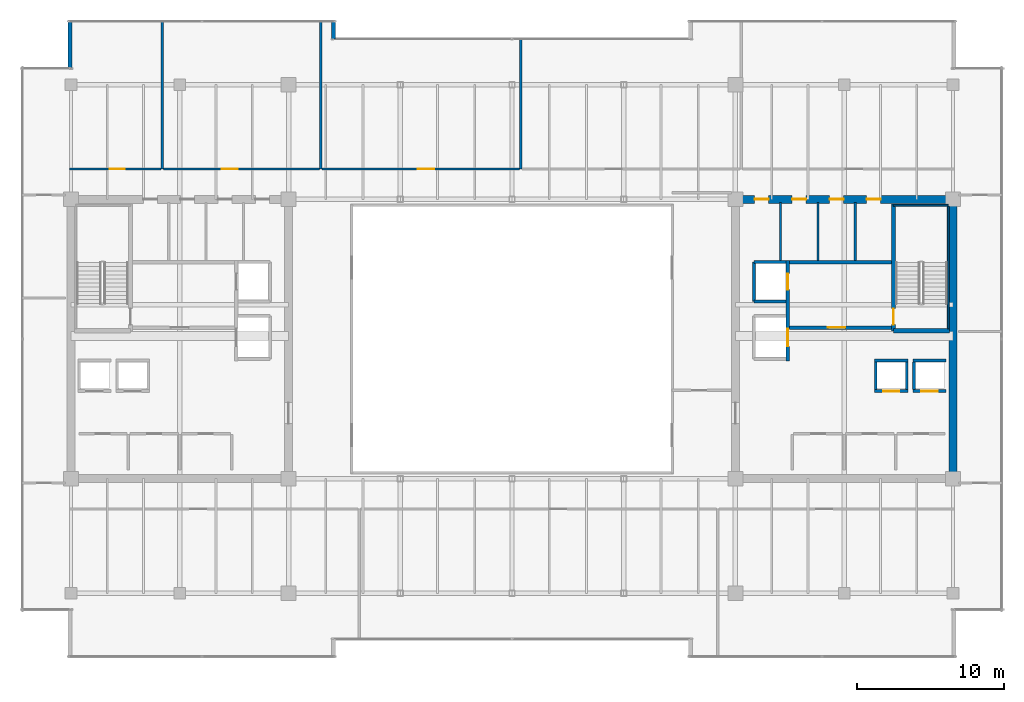
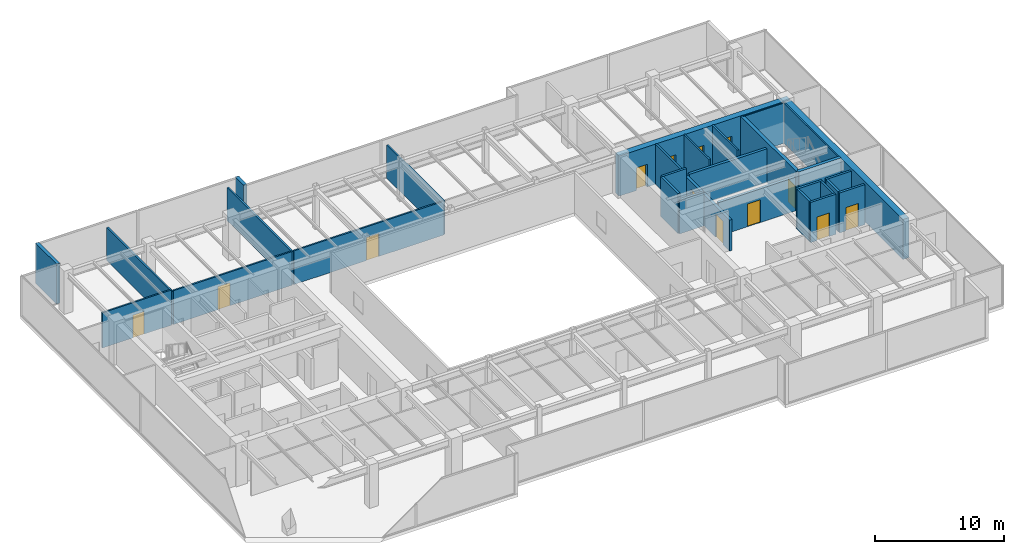
# One storey, part 30 of 33: 30 walls, 13 doors, 13 openings.
"""IFC4 building model written with IfcOpenShell, lengths in metres."""

from ifc_helpers import new_model, si_unit, direction, frame, frame_2d, origin, place, context, subcontext, project, spatial, rectangle, extrude, source, transform, mapped, material, layer, layer_set, type_object, type_shapes, element, fill, save


model = new_model("IFC4")

# Units and contexts
model_context = context("Model", 3, precision=1e-05, world=origin(), true_north=direction((0.0, 1.0)))
body_context = subcontext(model_context, "Body", "Model", "MODEL_VIEW")
ifc_project = project(units=[si_unit("LENGTHUNIT", "METRE"), si_unit("AREAUNIT", "SQUARE_METRE"), si_unit("VOLUMEUNIT", "CUBIC_METRE"), si_unit("PLANEANGLEUNIT", "RADIAN"), si_unit("MASSUNIT", "GRAM", prefix="KILO")], contexts=[model_context])

# Site, building, storey
site_placement = place(None, origin())
site = spatial("IfcSite", under=ifc_project, at=site_placement, CompositionType="ELEMENT")
building_placement = place(site_placement, origin())
building = spatial("IfcBuilding", under=site, at=building_placement, Name="Haelvirn Gate Laboratories", CompositionType="ELEMENT")
storey_placement = place(building_placement, frame((0.0, 0.0, 275.199951171875)))
storey = spatial("IfcBuildingStorey", under=building, at=storey_placement, Name="L66", CompositionType="ELEMENT", Elevation=275.199951171875)

# Walls
ifc_material_1 = material(Name="Thermally-broken bronze aluminium rainscreen & mineral wool", Category="aluminium")
ifc_layer_1 = layer(ifc_material_1, 0.280029296875, Name="EW-TERR-280")
ifc_layer_set_1 = layer_set([ifc_layer_1], Name="Thermally-broken bronze aluminium rainscreen & mineral wool")
wall_type_1 = type_object("IfcWallType", Name="EW-TERR-280", PredefinedType="STANDARD", material=ifc_layer_set_1)
wall_1_placement = place(storey_placement, frame((25.260009765625, 44.70703125, 0.0), z_axis=(0.0, 0.0, 1.0), x_axis=(0.0, 1.0, 0.0)))
element("IfcWall", 1, at=wall_1_placement, inside=storey, type_object=wall_type_1, Name="L66 Atrium Recess Bronze Return Wall 13", PredefinedType="STANDARD", context=body_context, shape_type="SweptSolid", body=[
    extrude(rectangle(XDim=1.29296875, YDim=0.280029296875, at=frame_2d((0.646484375, 0.0))), origin(), (0.0, 0.0, 1.0), 3.800048828125),
])
wall_2_placement = place(storey_placement, frame((7.340087890625, 46.0, 0.0), z_axis=(0.0, 0.0, 1.0), x_axis=(0.0, -1.0, 0.0)))
element("IfcWall", 2, at=wall_2_placement, inside=storey, type_object=wall_type_1, Name="L66 Atrium Recess Bronze Return Wall 15", PredefinedType="STANDARD", context=body_context, shape_type="SweptSolid", body=[
    extrude(rectangle(XDim=3.2880859375, YDim=0.280029296875, at=frame_2d((1.64404296875, 0.0))), origin(), (0.0, 0.0, 1.0), 3.800048828125),
])
ifc_material_2 = material(Name="Double-layer acoustic gypsum laboratory partition", Category="gypsum")
ifc_layer_2 = layer(ifc_material_2, 0.159912109375, Name="IW-ACOUST-160")
ifc_layer_set_2 = layer_set([ifc_layer_2], Name="Double-layer acoustic gypsum laboratory partition")
wall_type_2 = type_object("IfcWallType", Name="IW-ACOUST-160", PredefinedType="PARTITIONING", material=ifc_layer_set_2)
for number, where, z_axis, x_axis, name in (
    (3, (13.60009765625, 35.860107421875, 0.0), (0.0, 0.0, 1.0), (0.0, 1.0, 0.0), "L66 Interior Wall IW-L66-NDIV-01"),
    (4, (24.39990234375, 35.860107421875, 0.0), (0.0, 0.0, 1.0), (0.0, 1.0, 0.0), "L66 Interior Wall IW-L66-NDIV-02"),
):
    element("IfcWall", number, at=place(storey_placement, frame(where, z_axis=z_axis, x_axis=x_axis)), inside=storey, type_object=wall_type_2, Name=name, PredefinedType="PARTITIONING", context=body_context, shape_type="SweptSolid", body=[
        extrude(rectangle(XDim=10.02978515625, YDim=0.159912109375, at=frame_2d((5.014892578125, 0.0))), origin(), (0.0, 0.0, 1.0), 3.135009765625),
    ])
wall_3_placement = place(storey_placement, frame((38.0, 35.860107421875, 0.0), z_axis=(0.0, 0.0, 1.0), x_axis=(0.0, 1.0, 0.0)))
element("IfcWall", 5, at=wall_3_placement, inside=storey, type_object=wall_type_2, Name="L66 Interior Wall IW-L66-NDIV-03", PredefinedType="PARTITIONING", context=body_context, shape_type="SweptSolid", body=[
    extrude(rectangle(XDim=8.829833984375, YDim=0.159912109375, at=frame_2d((4.4150390625, 0.0))), origin(), (0.0, 0.0, 1.0), 3.135009765625),
])

# Wall, opening, door
ifc_material_3 = material(Name="Acoustic mineral-wool gypsum board partition", Category="gypsum")
ifc_layer_3 = layer(ifc_material_3, 0.139892578125, Name="IW-PART-140")
ifc_layer_set_3 = layer_set([ifc_layer_3], Name="Acoustic mineral-wool gypsum board partition")
wall_type_3 = type_object("IfcWallType", Name="IW-PART-140", PredefinedType="PARTITIONING", material=ifc_layer_set_3)
wall_4_placement = place(storey_placement, frame((7.31005859375, 35.860107421875, 0.0), z_axis=(0.0, 0.0, 1.0), x_axis=(1.0, 0.0, 0.0)))
wall_4 = element("IfcWall", 6, at=wall_4_placement, inside=storey, type_object=wall_type_3, Name="L66 Interior Wall IW-L66-NCORR-01", PredefinedType="PARTITIONING", context=body_context, shape_type="SweptSolid", body=[
    extrude(rectangle(XDim=6.2099609375, YDim=0.139892578125, at=frame_2d((3.10498046875, 0.0))), origin(), (0.0, 0.0, 1.0), 3.3349609375),
])
opening_1_placement = place(wall_4_placement, frame((2.740234375, 0.0, 0.0)))
opening_1 = element("IfcOpeningElement", 7, at=opening_1_placement, cuts=wall_4, Name="Opening D2", PredefinedType="OPENING", context=body_context, shape_type="SweptSolid", body=[
    extrude(rectangle(XDim=1.0, YDim=2.14990234375, at=frame_2d((0.5, 1.074951171875))), frame((0.0, 0.080078125, 0.0), z_axis=(0.0, -1.0, 0.0), x_axis=(1.0, 0.0, 0.0)), (0.0, 0.0, 1.0), 0.159912109375),
])
ifc_material_4 = material(Name="Acoustic solid-core timber suite door", Category="wood")
door_type_1 = type_object("IfcDoorType", Name="DR-INT-1000", OperationType="NOTDEFINED", PredefinedType="DOOR", material=ifc_material_4)
shared_shape_1 = source(origin(), body_context, "Body", "SweptSolid", [
    extrude(rectangle(XDim=1.0, YDim=2.14990234375, at=frame_2d((0.5, 1.074951171875))), frame((0.0, 0.02490234375, 0.0), z_axis=(0.0, -1.0, 0.0), x_axis=(1.0, 0.0, 0.0)), (0.0, 0.0, 1.0), 0.050048828125),
])
type_shapes(door_type_1, [shared_shape_1])
door_1_placement = place(opening_1_placement, origin())
door_1 = element("IfcDoor", 8, at=door_1_placement, inside=storey, type_object=door_type_1, Name="L66 Bioinformatics Dry-Lab Workspace Door N1", OperationType="SINGLE_SWING_RIGHT", OverallHeight=2.14990234375, OverallWidth=1.0, PredefinedType="DOOR", context=body_context, shape_type="MappedRepresentation", body=[
    mapped(shared_shape_1, transform((0.0, 0.0, 0.0), scale=1.0)),
])
fill(opening_1, door_1)

wall_5_placement = place(storey_placement, frame((13.679931640625, 35.860107421875, 0.0), z_axis=(0.0, 0.0, 1.0), x_axis=(1.0, 0.0, 0.0)))
wall_5 = element("IfcWall", 9, at=wall_5_placement, inside=storey, type_object=wall_type_3, Name="L66 Interior Wall IW-L66-NCORR-02", PredefinedType="PARTITIONING", context=body_context, shape_type="SweptSolid", body=[
    extrude(rectangle(XDim=10.64013671875, YDim=0.139892578125, at=frame_2d((5.320068359375, 0.0))), origin(), (0.0, 0.0, 1.0), 3.197021484375),
])
opening_2_placement = place(wall_5_placement, frame((3.974365234375, 0.0, 0.0)))
opening_2 = element("IfcOpeningElement", 10, at=opening_2_placement, cuts=wall_5, Name="Opening D1", PredefinedType="OPENING", context=body_context, shape_type="SweptSolid", body=[
    extrude(rectangle(XDim=1.10009765625, YDim=2.179931640625, at=frame_2d((0.550048828125, 1.08984375))), frame((0.0, 0.080078125, 0.0), z_axis=(0.0, -1.0, 0.0), x_axis=(1.0, 0.0, 0.0)), (0.0, 0.0, 1.0), 0.159912109375),
])
ifc_material_5 = material(Name="Vision-panel acoustic solid-core timber lab door", Category="wood")
door_type_2 = type_object("IfcDoorType", Name="DR-LAB-1100", OperationType="NOTDEFINED", PredefinedType="DOOR", material=ifc_material_5)
shared_shape_2 = source(origin(), body_context, "Body", "SweptSolid", [
    extrude(rectangle(XDim=1.10009765625, YDim=2.179931640625, at=frame_2d((0.550048828125, 1.08984375))), frame((0.0, 0.02490234375, 0.0), z_axis=(0.0, -1.0, 0.0), x_axis=(1.0, 0.0, 0.0)), (0.0, 0.0, 1.0), 0.050048828125),
])
type_shapes(door_type_2, [shared_shape_2])
door_2_placement = place(opening_2_placement, origin())
door_2 = element("IfcDoor", 11, at=door_2_placement, inside=storey, type_object=door_type_2, Name="L66 Scientific Reference Library Door N2", OperationType="SINGLE_SWING_LEFT", OverallHeight=2.179931640625, OverallWidth=1.10009765625, PredefinedType="DOOR", context=body_context, shape_type="MappedRepresentation", body=[
    mapped(shared_shape_2, transform((0.0, 0.0, 0.0), scale=1.0)),
])
fill(opening_2, door_2)

wall_6_placement = place(storey_placement, frame((24.47998046875, 35.860107421875, 0.0), z_axis=(0.0, 0.0, 1.0), x_axis=(1.0, 0.0, 0.0)))
wall_6 = element("IfcWall", 12, at=wall_6_placement, inside=storey, type_object=wall_type_3, Name="L66 Interior Wall IW-L66-NCORR-03", PredefinedType="PARTITIONING", context=body_context, shape_type="SweptSolid", body=[
    extrude(rectangle(XDim=13.43994140625, YDim=0.139892578125, at=frame_2d((6.719970703125, 0.0))), origin(), (0.0, 0.0, 1.0), 3.197021484375),
])
opening_3_placement = place(wall_6_placement, frame((6.519287109375, 0.0, 0.0)))
opening_3 = element("IfcOpeningElement", 13, at=opening_3_placement, cuts=wall_6, Name="Opening D1", PredefinedType="OPENING", context=body_context, shape_type="SweptSolid", body=[
    extrude(rectangle(XDim=1.10009765625, YDim=2.179931640625, at=frame_2d((0.550048828125, 1.08984375))), frame((0.0, 0.080078125, 0.0), z_axis=(0.0, -1.0, 0.0), x_axis=(1.0, 0.0, 0.0)), (0.0, 0.0, 1.0), 0.159912109375),
])
door_3_placement = place(opening_3_placement, origin())
door_3 = element("IfcDoor", 14, at=door_3_placement, inside=storey, type_object=door_type_2, Name="L66 Instrumentation Prototyping Workshop Door N3", OperationType="SINGLE_SWING_RIGHT", OverallHeight=2.179931640625, OverallWidth=1.10009765625, PredefinedType="DOOR", context=body_context, shape_type="MappedRepresentation", body=[
    mapped(shared_shape_2, transform((0.0, 0.0, 0.0), scale=1.0)),
])
fill(opening_3, door_3)

# Walls
ifc_material_6 = material(Name="Cement-board restroom plumbing chase wall", Category="gypsum")
ifc_layer_4 = layer(ifc_material_6, 0.155029296875, Name="IW-PLUMB-160")
ifc_layer_set_4 = layer_set([ifc_layer_4], Name="Cement-board restroom plumbing chase wall")
wall_type_4 = type_object("IfcWallType", Name="IW-PLUMB-160", PredefinedType="PLUMBINGWALL", material=ifc_layer_set_4)
for number, where, z_axis, x_axis, name in (
    (15, (60.760009765625, 29.64990234375, 0.0), (0.0, 0.0, 1.0), (0.0, 1.0, 0.0), "L66 Interior Wall IW-L66-E-CDIV-1"),
    (16, (58.2099609375, 29.64990234375, 0.0), (0.0, 0.0, 1.0), (0.0, 1.0, 0.0), "L66 Interior Wall IW-L66-E-CDIV-2"),
    (17, (55.659912109375, 29.64990234375, 0.0), (0.0, 0.0, 1.0), (0.0, 1.0, 0.0), "L66 Interior Wall IW-L66-E-CDIV-3"),
):
    element("IfcWall", number, at=place(storey_placement, frame(where, z_axis=z_axis, x_axis=x_axis)), inside=storey, type_object=wall_type_4, Name=name, PredefinedType="PLUMBINGWALL", context=body_context, shape_type="SweptSolid", body=[
        extrude(rectangle(XDim=3.93017578125, YDim=0.155029296875, at=frame_2d((1.965087890625, 0.0))), origin(), (0.0, 0.0, 1.0), 3.800048828125),
    ])
ifc_material_7 = material(Name="Concrete C40/50", Category="concrete")
ifc_layer_5 = layer(ifc_material_7, 0.179931640625, Name="IW-SHAFT-180")
ifc_layer_set_5 = layer_set([ifc_layer_5], Name="Concrete C40/50")
wall_type_5 = type_object("IfcWallType", Name="IW-SHAFT-180", PredefinedType="SOLIDWALL", material=ifc_layer_set_5)
for number, where, z_axis, x_axis, name in (
    (18, (64.75, 20.85009765625, 0.0), (0.0, 0.0, 1.0), (0.0, 1.0, 0.0), "L66 Interior Wall IW-L66-PL11-SD"),
    (19, (62.14990234375, 20.85009765625, 0.0), (0.0, 0.0, 1.0), (0.0, 1.0, 0.0), "L66 Interior Wall IW-L66-PL12-SD"),
    (20, (64.25, 20.85009765625, 0.0), (0.0, 0.0, 1.0), (0.0, 1.0, 0.0), "L66 Interior Wall IW-L66-PL12-SDE"),
):
    element("IfcWall", number, at=place(storey_placement, frame(where, z_axis=z_axis, x_axis=x_axis)), inside=storey, type_object=wall_type_5, Name=name, PredefinedType="SOLIDWALL", context=body_context, shape_type="SweptSolid", body=[
        extrude(rectangle(XDim=1.89990234375, YDim=0.179931640625, at=frame_2d((0.949951171875, 0.0))), origin(), (0.0, 0.0, 1.0), 3.800048828125),
    ])

# Wall, opening, door
ifc_layer_6 = layer(ifc_material_7, 0.199951171875, Name="IW-SHAFT-200")
ifc_layer_set_6 = layer_set([ifc_layer_6], Name="Concrete C40/50")
wall_type_6 = type_object("IfcWallType", Name="IW-SHAFT-200", PredefinedType="SOLIDWALL", material=ifc_layer_set_6)
wall_7_placement = place(storey_placement, frame((64.669921875, 20.75, 0.0), z_axis=(0.0, 0.0, 1.0), x_axis=(1.0, 0.0, 0.0)))
wall_7 = element("IfcWall", 21, at=wall_7_placement, inside=storey, type_object=wall_type_6, Name="L66 Interior Wall IW-L66-PL11-FR", PredefinedType="SOLIDWALL", context=body_context, shape_type="SweptSolid", body=[
    extrude(rectangle(XDim=2.260009765625, YDim=0.199951171875, at=frame_2d((1.1298828125, 0.0))), origin(), (0.0, 0.0, 1.0), 3.800048828125),
])
opening_4_placement = place(wall_7_placement, frame((0.580078125, 0.0, 0.0)))
opening_4 = element("IfcOpeningElement", 22, at=opening_4_placement, cuts=wall_7, Name="Opening LD2", PredefinedType="OPENING", context=body_context, shape_type="SweptSolid", body=[
    extrude(rectangle(XDim=1.10009765625, YDim=2.219970703125, at=frame_2d((0.550048828125, 1.10986328125))), frame((0.0, 0.10986328125, 0.0), z_axis=(0.0, -1.0, 0.0), x_axis=(1.0, 0.0, 0.0)), (0.0, 0.0, 1.0), 0.219970703125),
])
ifc_material_8 = material(Name="Bronze stainless 316L sliding lift landing door")
door_type_3 = type_object("IfcDoorType", Name="DR-LD-1100", OperationType="NOTDEFINED", PredefinedType="USERDEFINED", material=ifc_material_8)
shared_shape_3 = source(origin(), body_context, "Body", "SweptSolid", [
    extrude(rectangle(XDim=1.10009765625, YDim=2.219970703125, at=frame_2d((0.550048828125, 1.10986328125))), frame((0.0, 0.02490234375, 0.0), z_axis=(0.0, -1.0, 0.0), x_axis=(1.0, 0.0, 0.0)), (0.0, 0.0, 1.0), 0.050048828125),
])
type_shapes(door_type_3, [shared_shape_3])
door_4_placement = place(opening_4_placement, origin())
door_4 = element("IfcDoor", 23, at=door_4_placement, inside=storey, type_object=door_type_3, Name="L66 Passenger Lift PL11 Landing Door", ObjectType="LANDING_DOOR", OperationType="SLIDING_TO_LEFT", OverallHeight=2.219970703125, OverallWidth=1.10009765625, PredefinedType="USERDEFINED", context=body_context, shape_type="MappedRepresentation", body=[
    mapped(shared_shape_3, transform((0.0, 0.0, 0.0), scale=1.0)),
])
fill(opening_4, door_4)

# Wall
wall_8_placement = place(storey_placement, frame((64.669921875, 22.85009765625, 0.0), z_axis=(0.0, 0.0, 1.0), x_axis=(1.0, 0.0, 0.0)))
element("IfcWall", 24, at=wall_8_placement, inside=storey, type_object=wall_type_6, Name="L66 Interior Wall IW-L66-PL11-BK", PredefinedType="SOLIDWALL", context=body_context, shape_type="SweptSolid", body=[
    extrude(rectangle(XDim=2.260009765625, YDim=0.199951171875, at=frame_2d((1.1298828125, 0.0))), origin(), (0.0, 0.0, 1.0), 3.800048828125),
])

# Wall, opening, door
wall_9_placement = place(storey_placement, frame((62.070068359375, 20.75, 0.0), z_axis=(0.0, 0.0, 1.0), x_axis=(1.0, 0.0, 0.0)))
wall_9 = element("IfcWall", 25, at=wall_9_placement, inside=storey, type_object=wall_type_6, Name="L66 Interior Wall IW-L66-PL12-FR", PredefinedType="SOLIDWALL", context=body_context, shape_type="SweptSolid", body=[
    extrude(rectangle(XDim=2.260009765625, YDim=0.199951171875, at=frame_2d((1.1298828125, 0.0))), origin(), (0.0, 0.0, 1.0), 3.800048828125),
])
opening_5_placement = place(wall_9_placement, frame((0.580078125, 0.0, 0.0)))
opening_5 = element("IfcOpeningElement", 26, at=opening_5_placement, cuts=wall_9, Name="Opening LD2", PredefinedType="OPENING", context=body_context, shape_type="SweptSolid", body=[
    extrude(rectangle(XDim=1.10009765625, YDim=2.219970703125, at=frame_2d((0.550048828125, 1.10986328125))), frame((0.0, 0.10986328125, 0.0), z_axis=(0.0, -1.0, 0.0), x_axis=(1.0, 0.0, 0.0)), (0.0, 0.0, 1.0), 0.219970703125),
])
door_5_placement = place(opening_5_placement, origin())
door_5 = element("IfcDoor", 27, at=door_5_placement, inside=storey, type_object=door_type_3, Name="L66 Passenger Lift PL12 Landing Door", ObjectType="LANDING_DOOR", OperationType="SLIDING_TO_RIGHT", OverallHeight=2.219970703125, OverallWidth=1.10009765625, PredefinedType="USERDEFINED", context=body_context, shape_type="MappedRepresentation", body=[
    mapped(shared_shape_3, transform((0.0, 0.0, 0.0), scale=1.0)),
])
fill(opening_5, door_5)

# Walls
wall_10_placement = place(storey_placement, frame((62.070068359375, 22.85009765625, 0.0), z_axis=(0.0, 0.0, 1.0), x_axis=(1.0, 0.0, 0.0)))
element("IfcWall", 28, at=wall_10_placement, inside=storey, type_object=wall_type_6, Name="L66 Interior Wall IW-L66-PL12-BK", PredefinedType="SOLIDWALL", context=body_context, shape_type="SweptSolid", body=[
    extrude(rectangle(XDim=2.260009765625, YDim=0.199951171875, at=frame_2d((1.1298828125, 0.0))), origin(), (0.0, 0.0, 1.0), 3.800048828125),
])
wall_11_placement = place(storey_placement, frame((53.85009765625, 26.85009765625, 0.0), z_axis=(0.0, 0.0, 1.0), x_axis=(0.0, 1.0, 0.0)))
element("IfcWall", 29, at=wall_11_placement, inside=storey, type_object=wall_type_6, Name="L66 Interior Wall IW-L66-FL2-BK", PredefinedType="SOLIDWALL", context=body_context, shape_type="SweptSolid", body=[
    extrude(rectangle(XDim=2.699951171875, YDim=0.199951171875, at=frame_2d((1.35009765625, 0.0))), origin(), (0.0, 0.0, 1.0), 3.800048828125),
])
wall_12_placement = place(storey_placement, frame((53.85009765625, 29.550048828125, 0.0), z_axis=(0.0, 0.0, 1.0), x_axis=(1.0, 0.0, 0.0)))
element("IfcWall", 30, at=wall_12_placement, inside=storey, type_object=wall_type_6, Name="L66 Interior Wall IW-L66-FL2-N", PredefinedType="SOLIDWALL", context=body_context, shape_type="SweptSolid", body=[
    extrude(rectangle(XDim=2.18994140625, YDim=0.199951171875, at=frame_2d((1.094970703125, 0.0))), origin(), (0.0, 0.0, 1.0), 3.800048828125),
])
wall_13_placement = place(storey_placement, frame((53.85009765625, 26.85009765625, 0.0), z_axis=(0.0, 0.0, 1.0), x_axis=(1.0, 0.0, 0.0)))
element("IfcWall", 31, at=wall_13_placement, inside=storey, type_object=wall_type_6, Name="L66 Interior Wall IW-L66-FL2-S", PredefinedType="SOLIDWALL", context=body_context, shape_type="SweptSolid", body=[
    extrude(rectangle(XDim=2.18994140625, YDim=0.199951171875, at=frame_2d((1.094970703125, 0.0))), origin(), (0.0, 0.0, 1.0), 3.197021484375),
])

# Wall, opening, door
ifc_layer_7 = layer(ifc_material_7, 0.239990234375, Name="IW-SHAFT-240")
ifc_layer_set_7 = layer_set([ifc_layer_7], Name="Concrete C40/50")
wall_type_7 = type_object("IfcWallType", Name="IW-SHAFT-240", PredefinedType="SOLIDWALL", material=ifc_layer_set_7)
wall_14_placement = place(storey_placement, frame((56.280029296875, 25.080078125, 0.0), z_axis=(0.0, 0.0, 1.0), x_axis=(1.0, 0.0, 0.0)))
wall_14 = element("IfcWall", 32, at=wall_14_placement, inside=storey, type_object=wall_type_7, Name="L66 Interior Wall IW-L66-E-FF-S", PredefinedType="SOLIDWALL", context=body_context, shape_type="SweptSolid", body=[
    extrude(rectangle(XDim=6.919921875, YDim=0.239990234375, at=frame_2d((3.4599609375, 0.0))), origin(), (0.0, 0.0, 1.0), 3.197021484375),
])
opening_6_placement = place(wall_14_placement, frame((2.60009765625, 0.0, 0.0)))
opening_6 = element("IfcOpeningElement", 33, at=opening_6_placement, cuts=wall_14, Name="Opening FD2", PredefinedType="OPENING", context=body_context, shape_type="SweptSolid", body=[
    extrude(rectangle(XDim=1.199951171875, YDim=2.159912109375, at=frame_2d((0.60009765625, 1.080078125))), frame((0.0, 0.1298828125, 0.0), z_axis=(0.0, -1.0, 0.0), x_axis=(1.0, 0.0, 0.0)), (0.0, 0.0, 1.0), 0.260009765625),
])
ifc_material_9 = material(Name="Fire-rated steel SM355 compartment door", Category="steel")
door_type_4 = type_object("IfcDoorType", Name="DR-FD-1200", OperationType="NOTDEFINED", PredefinedType="DOOR", material=ifc_material_9)
shared_shape_4 = source(origin(), body_context, "Body", "SweptSolid", [
    extrude(rectangle(XDim=1.199951171875, YDim=2.159912109375, at=frame_2d((0.60009765625, 1.080078125))), frame((0.0, 0.02490234375, 0.0), z_axis=(0.0, -1.0, 0.0), x_axis=(1.0, 0.0, 0.0)), (0.0, 0.0, 1.0), 0.050048828125),
])
type_shapes(door_type_4, [shared_shape_4])
door_6_placement = place(opening_6_placement, origin())
door_6 = element("IfcDoor", 34, at=door_6_placement, inside=storey, type_object=door_type_4, Name="L66 East Firefighting Lobby Door", OperationType="SINGLE_SWING_LEFT", OverallHeight=2.159912109375, OverallWidth=1.199951171875, PredefinedType="DOOR", context=body_context, shape_type="MappedRepresentation", body=[
    mapped(shared_shape_4, transform((0.0, 0.0, 0.0), scale=1.0)),
])
fill(opening_6, door_6)

# Wall
wall_15_placement = place(storey_placement, frame((56.280029296875, 29.52001953125, 0.0), z_axis=(0.0, 0.0, 1.0), x_axis=(1.0, 0.0, 0.0)))
element("IfcWall", 35, at=wall_15_placement, inside=storey, type_object=wall_type_7, Name="L66 Interior Wall IW-L66-E-FF-N", PredefinedType="SOLIDWALL", context=body_context, shape_type="SweptSolid", body=[
    extrude(rectangle(XDim=6.919921875, YDim=0.239990234375, at=frame_2d((3.4599609375, 0.0))), origin(), (0.0, 0.0, 1.0), 3.197021484375),
])

# Wall, openings, doors
wall_16_placement = place(storey_placement, frame((56.159912109375, 22.800048828125, 0.0), z_axis=(0.0, 0.0, 1.0), x_axis=(0.0, 1.0, 0.0)))
wall_16 = element("IfcWall", 36, at=wall_16_placement, inside=storey, type_object=wall_type_7, Name="L66 Interior Wall IW-L66-E-FF-E", PredefinedType="SOLIDWALL", context=body_context, shape_type="SweptSolid", body=[
    extrude(rectangle(XDim=6.849853515625, YDim=0.239990234375, at=frame_2d((3.4248046875, 0.0))), origin(), (0.0, 0.0, 1.0), 2.93505859375),
])
opening_7_placement = place(wall_16_placement, frame((4.85009765625, 0.0, 0.0)))
opening_7 = element("IfcOpeningElement", 37, at=opening_7_placement, cuts=wall_16, Name="Opening LD2", PredefinedType="OPENING", context=body_context, shape_type="SweptSolid", body=[
    extrude(rectangle(XDim=1.10009765625, YDim=2.219970703125, at=frame_2d((0.550048828125, 1.10986328125))), frame((0.0, 0.1298828125, 0.0), z_axis=(0.0, -1.0, 0.0), x_axis=(1.0, 0.0, 0.0)), (0.0, 0.0, 1.0), 0.260009765625),
])
opening_8_placement = place(wall_16_placement, frame((1.0, 0.0, 0.0)))
opening_8 = element("IfcOpeningElement", 38, at=opening_8_placement, cuts=wall_16, Name="Opening LD1", PredefinedType="OPENING", context=body_context, shape_type="SweptSolid", body=[
    extrude(rectangle(XDim=1.199951171875, YDim=2.219970703125, at=frame_2d((0.60009765625, 1.10986328125))), frame((0.0, 0.1298828125, 0.0), z_axis=(0.0, -1.0, 0.0), x_axis=(1.0, 0.0, 0.0)), (0.0, 0.0, 1.0), 0.260009765625),
])
door_7_placement = place(opening_7_placement, origin())
door_7 = element("IfcDoor", 39, at=door_7_placement, inside=storey, type_object=door_type_3, Name="L66 Firefighting Lift FL2 Landing Door", ObjectType="LANDING_DOOR", OperationType="SLIDING_TO_RIGHT", OverallHeight=2.219970703125, OverallWidth=1.10009765625, PredefinedType="USERDEFINED", context=body_context, shape_type="MappedRepresentation", body=[
    mapped(shared_shape_3, transform((0.0, 0.0, 0.0), scale=1.0)),
])
fill(opening_7, door_7)
ifc_material_10 = material(Name="Stainless steel 316L sliding goods landing door", Category="steel")
door_type_5 = type_object("IfcDoorType", Name="DR-LD-1200", OperationType="NOTDEFINED", PredefinedType="USERDEFINED", material=ifc_material_10)
shared_shape_5 = source(origin(), body_context, "Body", "SweptSolid", [
    extrude(rectangle(XDim=1.199951171875, YDim=2.219970703125, at=frame_2d((0.60009765625, 1.10986328125))), frame((0.0, 0.02490234375, 0.0), z_axis=(0.0, -1.0, 0.0), x_axis=(1.0, 0.0, 0.0)), (0.0, 0.0, 1.0), 0.050048828125),
])
type_shapes(door_type_5, [shared_shape_5])
door_8_placement = place(opening_8_placement, origin())
door_8 = element("IfcDoor", 40, at=door_8_placement, inside=storey, type_object=door_type_5, Name="L66 Service Lift SL2 Landing Door", ObjectType="LANDING_DOOR", OperationType="SLIDING_TO_LEFT", OverallHeight=2.219970703125, OverallWidth=1.199951171875, PredefinedType="USERDEFINED", context=body_context, shape_type="MappedRepresentation", body=[
    mapped(shared_shape_5, transform((0.0, 0.0, 0.0), scale=1.0)),
])
fill(opening_8, door_8)

ifc_material_11 = material(Name="Concrete C50/60", Category="concrete")
ifc_layer_8 = layer(ifc_material_11, 0.550048828125, Name="SW-CORE-550")
ifc_layer_set_8 = layer_set([ifc_layer_8], Name="Concrete C50/60")
wall_type_8 = type_object("IfcWallType", Name="SW-CORE-550", PredefinedType="SHEAR", material=ifc_layer_set_8)
wall_17_placement = place(storey_placement, frame((52.324951171875, 33.800048828125, 0.0), z_axis=(0.0, 0.0, 1.0), x_axis=(1.0, 0.0, 0.0)))
wall_17 = element("IfcWall", 41, at=wall_17_placement, inside=storey, type_object=wall_type_8, Name="L66 E Core Shear Wall N", PredefinedType="SHEAR", context=body_context, shape_type="SweptSolid", body=[
    extrude(rectangle(XDim=15.35009765625, YDim=0.550048828125, at=frame_2d((7.675048828125, 0.0))), origin(), (0.0, 0.0, 1.0), 3.800048828125),
])
opening_9_placement = place(wall_17_placement, frame((9.199951171875, 0.0, 0.0)))
opening_9 = element("IfcOpeningElement", 42, at=opening_9_placement, cuts=wall_17, Name="Opening FD4", PredefinedType="OPENING", context=body_context, shape_type="SweptSolid", body=[
    extrude(rectangle(XDim=0.949951171875, YDim=2.14990234375, at=frame_2d((0.47509765625, 1.074951171875))), frame((0.0, 0.28515625, 0.0), z_axis=(0.0, -1.0, 0.0), x_axis=(1.0, 0.0, 0.0)), (0.0, 0.0, 1.0), 0.570068359375),
])
opening_10_placement = place(wall_17_placement, frame((6.68505859375, 0.0, 0.0)))
opening_10 = element("IfcOpeningElement", 43, at=opening_10_placement, cuts=wall_17, Name="Opening FD4", PredefinedType="OPENING", context=body_context, shape_type="SweptSolid", body=[
    extrude(rectangle(XDim=0.949951171875, YDim=2.14990234375, at=frame_2d((0.47509765625, 1.074951171875))), frame((0.0, 0.28515625, 0.0), z_axis=(0.0, -1.0, 0.0), x_axis=(1.0, 0.0, 0.0)), (0.0, 0.0, 1.0), 0.570068359375),
])
opening_11_placement = place(wall_17_placement, frame((4.135009765625, 0.0, 0.0)))
opening_11 = element("IfcOpeningElement", 44, at=opening_11_placement, cuts=wall_17, Name="Opening FD4", PredefinedType="OPENING", context=body_context, shape_type="SweptSolid", body=[
    extrude(rectangle(XDim=0.949951171875, YDim=2.14990234375, at=frame_2d((0.47509765625, 1.074951171875))), frame((0.0, 0.28515625, 0.0), z_axis=(0.0, -1.0, 0.0), x_axis=(1.0, 0.0, 0.0)), (0.0, 0.0, 1.0), 0.570068359375),
])
opening_12_placement = place(wall_17_placement, frame((1.5849609375, 0.0, 0.0)))
opening_12 = element("IfcOpeningElement", 45, at=opening_12_placement, cuts=wall_17, Name="Opening FD4", PredefinedType="OPENING", context=body_context, shape_type="SweptSolid", body=[
    extrude(rectangle(XDim=0.949951171875, YDim=2.14990234375, at=frame_2d((0.47509765625, 1.074951171875))), frame((0.0, 0.28515625, 0.0), z_axis=(0.0, -1.0, 0.0), x_axis=(1.0, 0.0, 0.0)), (0.0, 0.0, 1.0), 0.570068359375),
])
ifc_material_12 = material(Name="Fire-rated steel SM355 core service door", Category="steel")
door_type_6 = type_object("IfcDoorType", Name="DR-FD-950", OperationType="NOTDEFINED", PredefinedType="DOOR", material=ifc_material_12)
shared_shape_6 = source(origin(), body_context, "Body", "SweptSolid", [
    extrude(rectangle(XDim=0.949951171875, YDim=2.14990234375, at=frame_2d((0.47509765625, 1.074951171875))), frame((0.0, 0.02490234375, 0.0), z_axis=(0.0, -1.0, 0.0), x_axis=(1.0, 0.0, 0.0)), (0.0, 0.0, 1.0), 0.050048828125),
])
type_shapes(door_type_6, [shared_shape_6])
door_9_placement = place(opening_9_placement, origin())
door_9 = element("IfcDoor", 46, at=door_9_placement, inside=storey, type_object=door_type_6, Name="L66 Male Restroom Fire Door", OperationType="SINGLE_SWING_LEFT", OverallHeight=2.14990234375, OverallWidth=0.949951171875, PredefinedType="DOOR", context=body_context, shape_type="MappedRepresentation", body=[
    mapped(shared_shape_6, transform((0.0, 0.0, 0.0), scale=1.0)),
])
fill(opening_9, door_9)
door_10_placement = place(opening_10_placement, origin())
door_10 = element("IfcDoor", 47, at=door_10_placement, inside=storey, type_object=door_type_6, Name="L66 Female Restroom Fire Door", OperationType="SINGLE_SWING_RIGHT", OverallHeight=2.14990234375, OverallWidth=0.949951171875, PredefinedType="DOOR", context=body_context, shape_type="MappedRepresentation", body=[
    mapped(shared_shape_6, transform((0.0, 0.0, 0.0), scale=1.0)),
])
fill(opening_10, door_10)
door_11_placement = place(opening_11_placement, origin())
door_11 = element("IfcDoor", 48, at=door_11_placement, inside=storey, type_object=door_type_6, Name="L66 Accessible Restroom Fire Door", OperationType="SINGLE_SWING_LEFT", OverallHeight=2.14990234375, OverallWidth=0.949951171875, PredefinedType="DOOR", context=body_context, shape_type="MappedRepresentation", body=[
    mapped(shared_shape_6, transform((0.0, 0.0, 0.0), scale=1.0)),
])
fill(opening_11, door_11)
door_12_placement = place(opening_12_placement, origin())
door_12 = element("IfcDoor", 49, at=door_12_placement, inside=storey, type_object=door_type_6, Name="L66 Decontamination Shower Washroom Fire Door", OperationType="SINGLE_SWING_RIGHT", OverallHeight=2.14990234375, OverallWidth=0.949951171875, PredefinedType="DOOR", context=body_context, shape_type="MappedRepresentation", body=[
    mapped(shared_shape_6, transform((0.0, 0.0, 0.0), scale=1.0)),
])
fill(opening_12, door_12)

# Walls
wall_18_placement = place(storey_placement, frame((67.39990234375, 15.074951171875, 0.0), z_axis=(0.0, 0.0, 1.0), x_axis=(0.0, 1.0, 0.0)))
element("IfcWall", 50, at=wall_18_placement, inside=storey, type_object=wall_type_8, Name="L66 E Core Shear Wall E", PredefinedType="SHEAR", context=body_context, shape_type="SweptSolid", body=[
    extrude(rectangle(XDim=18.449951171875, YDim=0.550048828125, at=frame_2d((9.22509765625, 0.0))), origin(), (0.0, 0.0, 1.0), 3.800048828125),
])
ifc_layer_9 = layer(ifc_material_11, 0.1201171875, Name="SW-LINER-120")
ifc_layer_set_9 = layer_set([ifc_layer_9], Name="Concrete C50/60")
wall_type_9 = type_object("IfcWallType", Name="SW-LINER-120", PredefinedType="SOLIDWALL", material=ifc_layer_set_9)
wall_19_placement = place(storey_placement, frame((63.35009765625, 33.39990234375, 0.0), z_axis=(0.0, 0.0, 1.0), x_axis=(1.0, 0.0, 0.0)))
element("IfcWall", 51, at=wall_19_placement, inside=storey, type_object=wall_type_9, Name="L66 E Core Stair Shaft Liner Wall N", PredefinedType="SOLIDWALL", context=body_context, shape_type="SweptSolid", body=[
    extrude(rectangle(XDim=3.719970703125, YDim=0.1201171875, at=frame_2d((1.85986328125, 0.0))), origin(), (0.0, 0.0, 1.0), 3.800048828125),
])
wall_20_placement = place(storey_placement, frame((67.070068359375, 25.0, 0.0), z_axis=(0.0, 0.0, 1.0), x_axis=(0.0, 1.0, 0.0)))
element("IfcWall", 52, at=wall_20_placement, inside=storey, type_object=wall_type_9, Name="L66 E Core Stair Shaft Liner Wall OUT", PredefinedType="SOLIDWALL", context=body_context, shape_type="SweptSolid", body=[
    extrude(rectangle(XDim=8.320068359375, YDim=0.1201171875, at=frame_2d((4.16015625, 0.0))), origin(), (0.0, 0.0, 1.0), 3.800048828125),
])

# Wall, opening, door
ifc_layer_10 = layer(ifc_material_11, 0.300048828125, Name="SW-STAIR-300")
ifc_layer_set_10 = layer_set([ifc_layer_10], Name="Concrete C50/60")
wall_type_10 = type_object("IfcWallType", Name="SW-STAIR-300", PredefinedType="SHEAR", material=ifc_layer_set_10)
wall_21_placement = place(storey_placement, frame((63.35009765625, 24.85009765625, 0.0), z_axis=(0.0, 0.0, 1.0), x_axis=(0.0, 1.0, 0.0)))
wall_21 = element("IfcWall", 53, at=wall_21_placement, inside=storey, type_object=wall_type_10, Name="L66 E Core Stair Shaft Structural Wall IN", PredefinedType="SHEAR", context=body_context, shape_type="SweptSolid", body=[
    extrude(rectangle(XDim=8.6298828125, YDim=0.300048828125, at=frame_2d((4.31494140625, 0.0))), origin(), (0.0, 0.0, 1.0), 3.800048828125),
])
opening_13_placement = place(wall_21_placement, frame((0.419921875, 0.0, 0.0)))
opening_13 = element("IfcOpeningElement", 54, at=opening_13_placement, cuts=wall_21, Name="Opening FD3", PredefinedType="OPENING", context=body_context, shape_type="SweptSolid", body=[
    extrude(rectangle(XDim=1.10009765625, YDim=2.14990234375, at=frame_2d((0.550048828125, 1.074951171875))), frame((0.0, 0.16015625, 0.0), z_axis=(0.0, -1.0, 0.0), x_axis=(1.0, 0.0, 0.0)), (0.0, 0.0, 1.0), 0.320068359375),
])
ifc_material_13 = material(Name="Fire-rated steel SM355 escape stair door", Category="steel")
door_type_7 = type_object("IfcDoorType", Name="DR-FD-1100", OperationType="NOTDEFINED", PredefinedType="DOOR", material=ifc_material_13)
shared_shape_7 = source(origin(), body_context, "Body", "SweptSolid", [
    extrude(rectangle(XDim=1.10009765625, YDim=2.14990234375, at=frame_2d((0.550048828125, 1.074951171875))), frame((0.0, 0.02490234375, 0.0), z_axis=(0.0, -1.0, 0.0), x_axis=(1.0, 0.0, 0.0)), (0.0, 0.0, 1.0), 0.050048828125),
])
type_shapes(door_type_7, [shared_shape_7])
door_13_placement = place(opening_13_placement, origin())
door_13 = element("IfcDoor", 55, at=door_13_placement, inside=storey, type_object=door_type_7, Name="L66 Escape Stair ST2 Fire Door", OperationType="SINGLE_SWING_RIGHT", OverallHeight=2.14990234375, OverallWidth=1.10009765625, PredefinedType="DOOR", context=body_context, shape_type="MappedRepresentation", body=[
    mapped(shared_shape_7, transform((0.0, 0.0, 0.0), scale=1.0)),
])
fill(opening_13, door_13)

# Wall
wall_22_placement = place(storey_placement, frame((63.35009765625, 24.85009765625, 0.0), z_axis=(0.0, 0.0, 1.0), x_axis=(1.0, 0.0, 0.0)))
element("IfcWall", 56, at=wall_22_placement, inside=storey, type_object=wall_type_10, Name="L66 E Core Stair Shaft Structural Wall S", PredefinedType="SHEAR", context=body_context, shape_type="SweptSolid", body=[
    extrude(rectangle(XDim=3.7998046875, YDim=0.300048828125, at=frame_2d((1.89990234375, 0.0))), origin(), (0.0, 0.0, 1.0), 3.800048828125),
])

save(model, "model.ifc")
